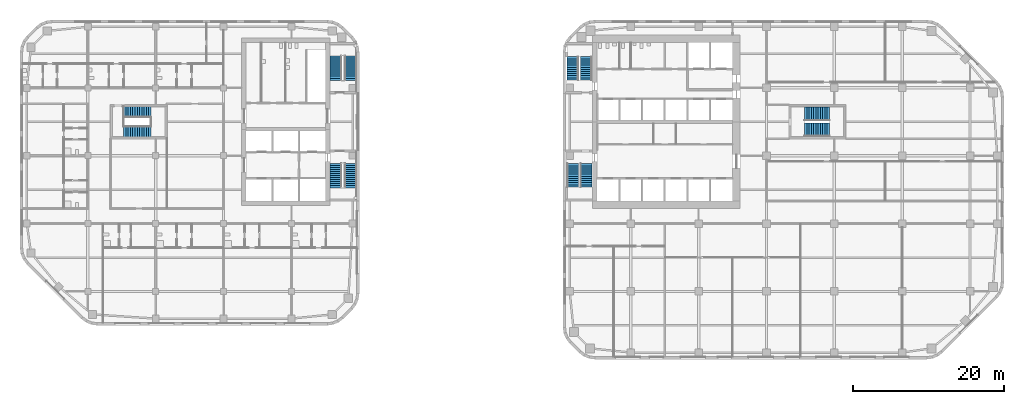
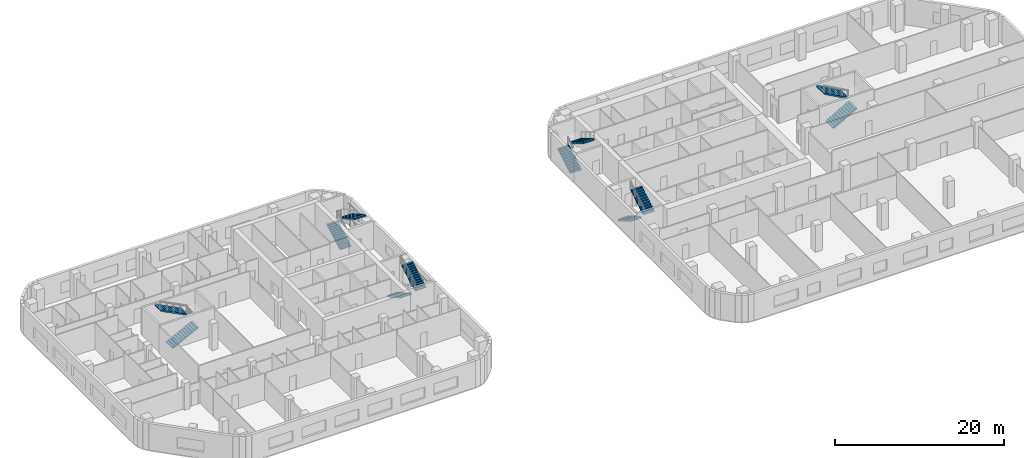
# One storey, part 13 of 16: 12 stair flights, 6 elements without a shape of their own.
"""IFC4 building model written with IfcOpenShell, lengths in metres."""

from ifc_helpers import new_model, si_unit, direction, frame, origin, place, context, subcontext, project, spatial, polyline, outline, extrude, material, type_object, element, aggregate, save


model = new_model("IFC4")

# Units and contexts
model_context = context("Model", 3, precision=1e-05, world=origin(), true_north=direction((0.0, 1.0)))
body_context = subcontext(model_context, "Body", "Model", "MODEL_VIEW")
ifc_project = project(units=[si_unit("LENGTHUNIT", "METRE"), si_unit("AREAUNIT", "SQUARE_METRE"), si_unit("VOLUMEUNIT", "CUBIC_METRE"), si_unit("PLANEANGLEUNIT", "RADIAN"), si_unit("MASSUNIT", "GRAM", prefix="KILO")], contexts=[model_context])

# Site, building, storey
site_placement = place(None, origin())
site = spatial("IfcSite", under=ifc_project, at=site_placement, CompositionType="ELEMENT")
building_placement = place(site_placement, origin())
building = spatial("IfcBuilding", under=site, at=building_placement, Name="Cinnabar Reach Civic Tower", CompositionType="ELEMENT")
storey_placement = place(building_placement, frame((0.0, 0.0, 30.0)))
storey = spatial("IfcBuildingStorey", under=building, at=storey_placement, Name="L06", CompositionType="ELEMENT", Elevation=30.0)

# Stair, stair flights
ifc_material_1 = material(Name="Concrete C40/50", Category="concrete")
stair_type_1 = type_object("IfcStairType", Name="T1 Exit stair, half-turn", PredefinedType="HALF_TURN_STAIR", material=ifc_material_1)
stair_1_placement = place(storey_placement, origin())
stair_1 = element("IfcStair", 1, at=stair_1_placement, inside=storey, type_object=stair_type_1, Name="Stair T1-S1", PredefinedType="HALF_TURN_STAIR")
stair_flight_type_1 = type_object("IfcStairFlightType", Name="T1 Stair flight, concrete", PredefinedType="STRAIGHT", material=ifc_material_1)
stair_flight_1_placement = place(storey_placement, frame((1.3125, 25.95, 0.0), z_axis=(0.0, 0.0, 1.0), x_axis=(0.0, -1.0, 0.0)))
stair_flight_1 = element("IfcStairFlight", 2, at=stair_flight_1_placement, type_object=stair_flight_type_1, Name="T1-S1 flight 1", NumberOfRisers=12, NumberOfTreads=11, PredefinedType="STRAIGHT", RiserHeight=0.166666667, TreadLength=0.28, context=body_context, shape_type="SweptSolid", body=[
    extrude(outline(polyline([(0.0, 0.0), (0.0, 0.1667), (0.28, 0.1667), (0.28, 0.3333), (0.56, 0.3333), (0.56, 0.5), (0.84, 0.5), (0.84, 0.6667), (1.12, 0.6667), (1.12, 0.8333), (1.4, 0.8333), (1.4, 1.0), (1.68, 1.0), (1.68, 1.1667), (1.96, 1.1667), (1.96, 1.3333), (2.24, 1.3333), (2.24, 1.5), (2.52, 1.5), (2.52, 1.6667), (2.8, 1.6667), (2.8, 1.8333), (3.08, 1.8333), (3.08, 2.0), (3.08, 1.6588), (0.2933, 0.0), (0.0, 0.0)])), frame((0.0, 0.7625, 0.0), z_axis=(0.0, -1.0, 0.0), x_axis=(1.0, 0.0, 0.0)), (0.0, 0.0, 1.0), 1.525),
])
stair_flight_2_placement = place(storey_placement, frame((3.0875, 22.87, 2.0), z_axis=(0.0, 0.0, 1.0), x_axis=(0.0, 1.0, 0.0)))
stair_flight_2 = element("IfcStairFlight", 3, at=stair_flight_2_placement, type_object=stair_flight_type_1, Name="T1-S1 flight 2", NumberOfRisers=12, NumberOfTreads=11, PredefinedType="STRAIGHT", RiserHeight=0.166666667, TreadLength=0.28, context=body_context, shape_type="SweptSolid", body=[
    extrude(outline(polyline([(0.0, 0.0), (0.0, 0.1667), (0.28, 0.1667), (0.28, 0.3333), (0.56, 0.3333), (0.56, 0.5), (0.84, 0.5), (0.84, 0.6667), (1.12, 0.6667), (1.12, 0.8333), (1.4, 0.8333), (1.4, 1.0), (1.68, 1.0), (1.68, 1.1667), (1.96, 1.1667), (1.96, 1.3333), (2.24, 1.3333), (2.24, 1.5), (2.52, 1.5), (2.52, 1.6667), (2.8, 1.6667), (2.8, 1.8333), (3.08, 1.8333), (3.08, 2.0), (3.08, 1.6588), (0.2933, 0.0), (0.0, 0.0)])), frame((0.0, 0.7625, 0.0), z_axis=(0.0, -1.0, 0.0), x_axis=(1.0, 0.0, 0.0)), (0.0, 0.0, 1.0), 1.525),
])
aggregate(stair_1, [stair_flight_1, stair_flight_2])

stair_2_placement = place(storey_placement, origin())
stair_2 = element("IfcStair", 4, at=stair_2_placement, inside=storey, type_object=stair_type_1, Name="Stair T1-S2", PredefinedType="HALF_TURN_STAIR")
stair_flight_3_placement = place(storey_placement, frame((1.3125, 37.05, 0.0), z_axis=(0.0, 0.0, 1.0), x_axis=(0.0, 1.0, 0.0)))
stair_flight_3 = element("IfcStairFlight", 5, at=stair_flight_3_placement, type_object=stair_flight_type_1, Name="T1-S2 flight 1", NumberOfRisers=12, NumberOfTreads=11, PredefinedType="STRAIGHT", RiserHeight=0.166666667, TreadLength=0.28, context=body_context, shape_type="SweptSolid", body=[
    extrude(outline(polyline([(0.0, 0.0), (0.0, 0.1667), (0.28, 0.1667), (0.28, 0.3333), (0.56, 0.3333), (0.56, 0.5), (0.84, 0.5), (0.84, 0.6667), (1.12, 0.6667), (1.12, 0.8333), (1.4, 0.8333), (1.4, 1.0), (1.68, 1.0), (1.68, 1.1667), (1.96, 1.1667), (1.96, 1.3333), (2.24, 1.3333), (2.24, 1.5), (2.52, 1.5), (2.52, 1.6667), (2.8, 1.6667), (2.8, 1.8333), (3.08, 1.8333), (3.08, 2.0), (3.08, 1.6588), (0.2933, 0.0), (0.0, 0.0)])), frame((0.0, 0.7625, 0.0), z_axis=(0.0, -1.0, 0.0), x_axis=(1.0, 0.0, 0.0)), (0.0, 0.0, 1.0), 1.525),
])
stair_flight_4_placement = place(storey_placement, frame((3.0875, 40.13, 2.0), z_axis=(0.0, 0.0, 1.0), x_axis=(0.0, -1.0, 0.0)))
stair_flight_4 = element("IfcStairFlight", 6, at=stair_flight_4_placement, type_object=stair_flight_type_1, Name="T1-S2 flight 2", NumberOfRisers=12, NumberOfTreads=11, PredefinedType="STRAIGHT", RiserHeight=0.166666667, TreadLength=0.28, context=body_context, shape_type="SweptSolid", body=[
    extrude(outline(polyline([(0.0, 0.0), (0.0, 0.1667), (0.28, 0.1667), (0.28, 0.3333), (0.56, 0.3333), (0.56, 0.5), (0.84, 0.5), (0.84, 0.6667), (1.12, 0.6667), (1.12, 0.8333), (1.4, 0.8333), (1.4, 1.0), (1.68, 1.0), (1.68, 1.1667), (1.96, 1.1667), (1.96, 1.3333), (2.24, 1.3333), (2.24, 1.5), (2.52, 1.5), (2.52, 1.6667), (2.8, 1.6667), (2.8, 1.8333), (3.08, 1.8333), (3.08, 2.0), (3.08, 1.6588), (0.2933, 0.0), (0.0, 0.0)])), frame((0.0, 0.7625, 0.0), z_axis=(0.0, -1.0, 0.0), x_axis=(1.0, 0.0, 0.0)), (0.0, 0.0, 1.0), 1.525),
])
aggregate(stair_2, [stair_flight_3, stair_flight_4])

stair_3_placement = place(storey_placement, origin())
stair_3 = element("IfcStair", 7, at=stair_3_placement, inside=storey, type_object=stair_type_1, Name="Stair T1-S3", PredefinedType="HALF_TURN_STAIR")
stair_flight_5_placement = place(storey_placement, frame((32.05, 30.45, 0.0), z_axis=(0.0, 0.0, 1.0), x_axis=(1.0, 0.0, 0.0)))
stair_flight_5 = element("IfcStairFlight", 8, at=stair_flight_5_placement, type_object=stair_flight_type_1, Name="T1-S3 flight 1", NumberOfRisers=12, NumberOfTreads=11, PredefinedType="STRAIGHT", RiserHeight=0.166666667, TreadLength=0.3, context=body_context, shape_type="SweptSolid", body=[
    extrude(outline(polyline([(0.0, 0.0), (0.0, 0.1667), (0.3, 0.1667), (0.3, 0.3333), (0.6, 0.3333), (0.6, 0.5), (0.9, 0.5), (0.9, 0.6667), (1.2, 0.6667), (1.2, 0.8333), (1.5, 0.8333), (1.5, 1.0), (1.8, 1.0), (1.8, 1.1667), (2.1, 1.1667), (2.1, 1.3333), (2.4, 1.3333), (2.4, 1.5), (2.7, 1.5), (2.7, 1.6667), (3.0, 1.6667), (3.0, 1.8333), (3.3, 1.8333), (3.3, 2.0), (3.3, 1.6617), (0.3089, 0.0), (0.0, 0.0)])), frame((0.0, 0.9, 0.0), z_axis=(0.0, -1.0, 0.0), x_axis=(1.0, 0.0, 0.0)), (0.0, 0.0, 1.0), 1.8),
])
stair_flight_6_placement = place(storey_placement, frame((35.35, 32.55, 2.0), z_axis=(0.0, 0.0, 1.0), x_axis=(-1.0, 0.0, 0.0)))
stair_flight_6 = element("IfcStairFlight", 9, at=stair_flight_6_placement, type_object=stair_flight_type_1, Name="T1-S3 flight 2", NumberOfRisers=12, NumberOfTreads=11, PredefinedType="STRAIGHT", RiserHeight=0.166666667, TreadLength=0.3, context=body_context, shape_type="SweptSolid", body=[
    extrude(outline(polyline([(0.0, 0.0), (0.0, 0.1667), (0.3, 0.1667), (0.3, 0.3333), (0.6, 0.3333), (0.6, 0.5), (0.9, 0.5), (0.9, 0.6667), (1.2, 0.6667), (1.2, 0.8333), (1.5, 0.8333), (1.5, 1.0), (1.8, 1.0), (1.8, 1.1667), (2.1, 1.1667), (2.1, 1.3333), (2.4, 1.3333), (2.4, 1.5), (2.7, 1.5), (2.7, 1.6667), (3.0, 1.6667), (3.0, 1.8333), (3.3, 1.8333), (3.3, 2.0), (3.3, 1.6617), (0.3089, 0.0), (0.0, 0.0)])), frame((0.0, 0.9, 0.0), z_axis=(0.0, -1.0, 0.0), x_axis=(1.0, 0.0, 0.0)), (0.0, 0.0, 1.0), 1.8),
])
aggregate(stair_3, [stair_flight_5, stair_flight_6])

ifc_material_2 = material(Name="Concrete C40", Category="concrete")
stair_type_2 = type_object("IfcStairType", Name="T2 Exit stair 1500", PredefinedType="HALF_TURN_STAIR", material=ifc_material_2)
stair_4_placement = place(storey_placement, origin())
stair_4 = element("IfcStair", 10, at=stair_4_placement, inside=storey, type_object=stair_type_2, Name="Exit stair 1", PredefinedType="HALF_TURN_STAIR")
stair_flight_type_2 = type_object("IfcStairFlightType", Name="T2 Stair flight 1500", PredefinedType="STRAIGHT", material=ifc_material_2)
stair_flight_7_placement = place(storey_placement, frame((-30.15, 26.0, 0.0), z_axis=(0.0, 0.0, 1.0), x_axis=(0.0, -1.0, 0.0)))
stair_flight_7 = element("IfcStairFlight", 11, at=stair_flight_7_placement, type_object=stair_flight_type_2, Name="ST1 flight 1", NumberOfRisers=13, NumberOfTreads=12, PredefinedType="STRAIGHT", RiserHeight=0.153846154, TreadLength=0.270833333, context=body_context, shape_type="SweptSolid", body=[
    extrude(outline(polyline([(0.0, 0.0), (0.0, 0.1538), (0.2708, 0.1538), (0.2708, 0.3077), (0.5417, 0.3077), (0.5417, 0.4615), (0.8125, 0.4615), (0.8125, 0.6154), (1.0833, 0.6154), (1.0833, 0.7692), (1.3542, 0.7692), (1.3542, 0.9231), (1.625, 0.9231), (1.625, 1.0769), (1.8958, 1.0769), (1.8958, 1.2308), (2.1667, 1.2308), (2.1667, 1.3846), (2.4375, 1.3846), (2.4375, 1.5385), (2.7083, 1.5385), (2.7083, 1.6923), (2.9792, 1.6923), (2.9792, 1.8462), (3.25, 1.8462), (3.25, 2.0), (3.25, 1.6736), (0.3037, 0.0), (0.0, 0.0)])), frame((0.0, 0.75, 0.0), z_axis=(0.0, -1.0, 0.0), x_axis=(1.0, 0.0, 0.0)), (0.0, 0.0, 1.0), 1.5),
])
stair_flight_8_placement = place(storey_placement, frame((-28.15, 22.75, 2.0), z_axis=(0.0, 0.0, 1.0), x_axis=(0.0, 1.0, 0.0)))
stair_flight_8 = element("IfcStairFlight", 12, at=stair_flight_8_placement, type_object=stair_flight_type_2, Name="ST1 flight 2", NumberOfRisers=13, NumberOfTreads=12, PredefinedType="STRAIGHT", RiserHeight=0.153846154, TreadLength=0.270833333, context=body_context, shape_type="SweptSolid", body=[
    extrude(outline(polyline([(0.0, 0.0), (0.0, 0.1538), (0.2708, 0.1538), (0.2708, 0.3077), (0.5417, 0.3077), (0.5417, 0.4615), (0.8125, 0.4615), (0.8125, 0.6154), (1.0833, 0.6154), (1.0833, 0.7692), (1.3542, 0.7692), (1.3542, 0.9231), (1.625, 0.9231), (1.625, 1.0769), (1.8958, 1.0769), (1.8958, 1.2308), (2.1667, 1.2308), (2.1667, 1.3846), (2.4375, 1.3846), (2.4375, 1.5385), (2.7083, 1.5385), (2.7083, 1.6923), (2.9792, 1.6923), (2.9792, 1.8462), (3.25, 1.8462), (3.25, 2.0), (3.25, 1.6736), (0.3037, 0.0), (0.0, 0.0)])), frame((0.0, 0.75, 0.0), z_axis=(0.0, -1.0, 0.0), x_axis=(1.0, 0.0, 0.0)), (0.0, 0.0, 1.0), 1.5),
])
aggregate(stair_4, [stair_flight_7, stair_flight_8])

stair_5_placement = place(storey_placement, origin())
stair_5 = element("IfcStair", 13, at=stair_5_placement, inside=storey, type_object=stair_type_2, Name="Exit stair 2", PredefinedType="HALF_TURN_STAIR")
stair_flight_9_placement = place(storey_placement, frame((-30.15, 37.0, 0.0), z_axis=(0.0, 0.0, 1.0), x_axis=(0.0, 1.0, 0.0)))
stair_flight_9 = element("IfcStairFlight", 14, at=stair_flight_9_placement, type_object=stair_flight_type_2, Name="ST2 flight 1", NumberOfRisers=13, NumberOfTreads=12, PredefinedType="STRAIGHT", RiserHeight=0.153846154, TreadLength=0.270833333, context=body_context, shape_type="SweptSolid", body=[
    extrude(outline(polyline([(0.0, 0.0), (0.0, 0.1538), (0.2708, 0.1538), (0.2708, 0.3077), (0.5417, 0.3077), (0.5417, 0.4615), (0.8125, 0.4615), (0.8125, 0.6154), (1.0833, 0.6154), (1.0833, 0.7692), (1.3542, 0.7692), (1.3542, 0.9231), (1.625, 0.9231), (1.625, 1.0769), (1.8958, 1.0769), (1.8958, 1.2308), (2.1667, 1.2308), (2.1667, 1.3846), (2.4375, 1.3846), (2.4375, 1.5385), (2.7083, 1.5385), (2.7083, 1.6923), (2.9792, 1.6923), (2.9792, 1.8462), (3.25, 1.8462), (3.25, 2.0), (3.25, 1.6736), (0.3037, 0.0), (0.0, 0.0)])), frame((0.0, 0.75, 0.0), z_axis=(0.0, -1.0, 0.0), x_axis=(1.0, 0.0, 0.0)), (0.0, 0.0, 1.0), 1.5),
])
stair_flight_10_placement = place(storey_placement, frame((-28.15, 40.25, 2.0), z_axis=(0.0, 0.0, 1.0), x_axis=(0.0, -1.0, 0.0)))
stair_flight_10 = element("IfcStairFlight", 15, at=stair_flight_10_placement, type_object=stair_flight_type_2, Name="ST2 flight 2", NumberOfRisers=13, NumberOfTreads=12, PredefinedType="STRAIGHT", RiserHeight=0.153846154, TreadLength=0.270833333, context=body_context, shape_type="SweptSolid", body=[
    extrude(outline(polyline([(0.0, 0.0), (0.0, 0.1538), (0.2708, 0.1538), (0.2708, 0.3077), (0.5417, 0.3077), (0.5417, 0.4615), (0.8125, 0.4615), (0.8125, 0.6154), (1.0833, 0.6154), (1.0833, 0.7692), (1.3542, 0.7692), (1.3542, 0.9231), (1.625, 0.9231), (1.625, 1.0769), (1.8958, 1.0769), (1.8958, 1.2308), (2.1667, 1.2308), (2.1667, 1.3846), (2.4375, 1.3846), (2.4375, 1.5385), (2.7083, 1.5385), (2.7083, 1.6923), (2.9792, 1.6923), (2.9792, 1.8462), (3.25, 1.8462), (3.25, 2.0), (3.25, 1.6736), (0.3037, 0.0), (0.0, 0.0)])), frame((0.0, 0.75, 0.0), z_axis=(0.0, -1.0, 0.0), x_axis=(1.0, 0.0, 0.0)), (0.0, 0.0, 1.0), 1.5),
])
aggregate(stair_5, [stair_flight_9, stair_flight_10])

stair_6_placement = place(storey_placement, origin())
stair_6 = element("IfcStair", 16, at=stair_6_placement, inside=storey, type_object=stair_type_2, Name="Exit stair 3", PredefinedType="HALF_TURN_STAIR")
stair_flight_11_placement = place(storey_placement, frame((-58.25, 30.125, 0.0), z_axis=(0.0, 0.0, 1.0), x_axis=(1.0, 0.0, 0.0)))
stair_flight_11 = element("IfcStairFlight", 17, at=stair_flight_11_placement, type_object=stair_flight_type_2, Name="ST3 flight 1", NumberOfRisers=13, NumberOfTreads=12, PredefinedType="STRAIGHT", RiserHeight=0.153846154, TreadLength=0.3, context=body_context, shape_type="SweptSolid", body=[
    extrude(outline(polyline([(0.0, 0.0), (0.0, 0.1538), (0.3, 0.1538), (0.3, 0.3077), (0.6, 0.3077), (0.6, 0.4615), (0.9, 0.4615), (0.9, 0.6154), (1.2, 0.6154), (1.2, 0.7692), (1.5, 0.7692), (1.5, 0.9231), (1.8, 0.9231), (1.8, 1.0769), (2.1, 1.0769), (2.1, 1.2308), (2.4, 1.2308), (2.4, 1.3846), (2.7, 1.3846), (2.7, 1.5385), (3.0, 1.5385), (3.0, 1.6923), (3.3, 1.6923), (3.3, 1.8462), (3.6, 1.8462), (3.6, 2.0), (3.6, 1.6776), (0.3287, 0.0), (0.0, 0.0)])), frame((0.0, 0.75, 0.0), z_axis=(0.0, -1.0, 0.0), x_axis=(1.0, 0.0, 0.0)), (0.0, 0.0, 1.0), 1.5),
])
stair_flight_12_placement = place(storey_placement, frame((-54.65, 32.875, 2.0), z_axis=(0.0, 0.0, 1.0), x_axis=(-1.0, 0.0, 0.0)))
stair_flight_12 = element("IfcStairFlight", 18, at=stair_flight_12_placement, type_object=stair_flight_type_2, Name="ST3 flight 2", NumberOfRisers=13, NumberOfTreads=12, PredefinedType="STRAIGHT", RiserHeight=0.153846154, TreadLength=0.3, context=body_context, shape_type="SweptSolid", body=[
    extrude(outline(polyline([(0.0, 0.0), (0.0, 0.1538), (0.3, 0.1538), (0.3, 0.3077), (0.6, 0.3077), (0.6, 0.4615), (0.9, 0.4615), (0.9, 0.6154), (1.2, 0.6154), (1.2, 0.7692), (1.5, 0.7692), (1.5, 0.9231), (1.8, 0.9231), (1.8, 1.0769), (2.1, 1.0769), (2.1, 1.2308), (2.4, 1.2308), (2.4, 1.3846), (2.7, 1.3846), (2.7, 1.5385), (3.0, 1.5385), (3.0, 1.6923), (3.3, 1.6923), (3.3, 1.8462), (3.6, 1.8462), (3.6, 2.0), (3.6, 1.6776), (0.3287, 0.0), (0.0, 0.0)])), frame((0.0, 0.75, 0.0), z_axis=(0.0, -1.0, 0.0), x_axis=(1.0, 0.0, 0.0)), (0.0, 0.0, 1.0), 1.5),
])
aggregate(stair_6, [stair_flight_11, stair_flight_12])

save(model, "model.ifc")
